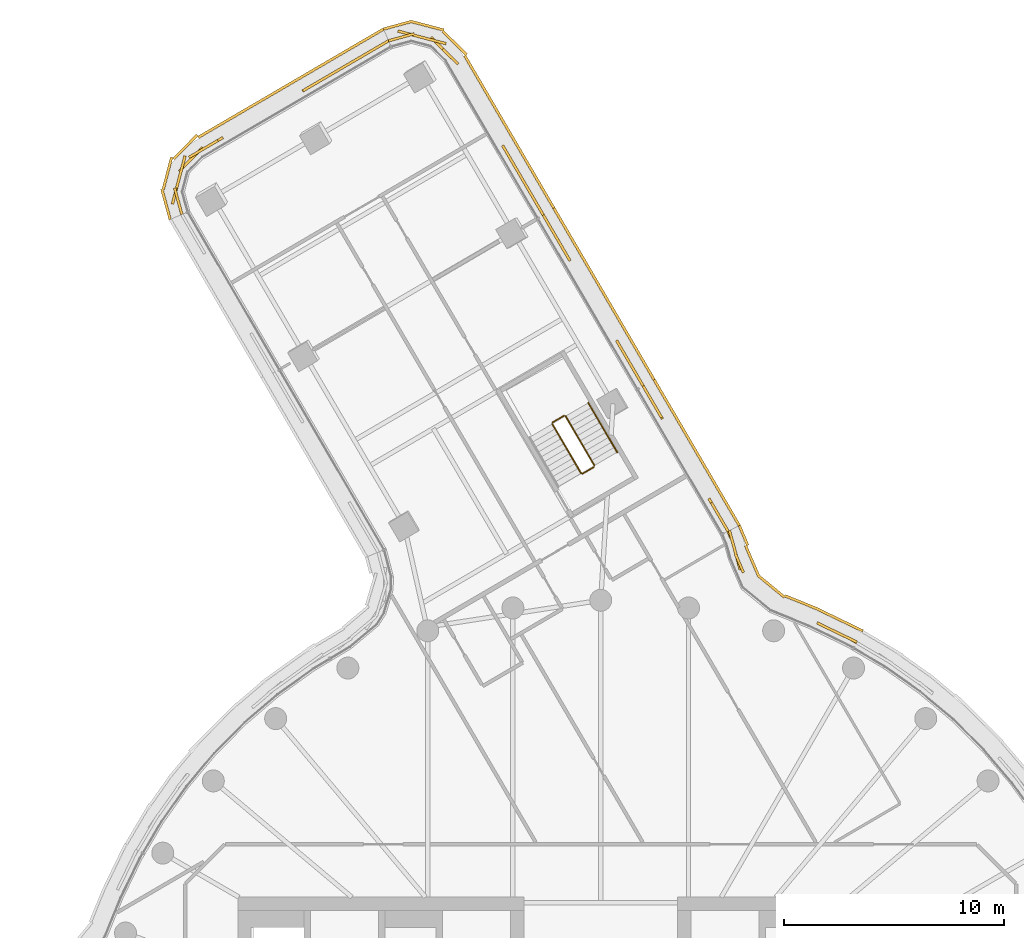
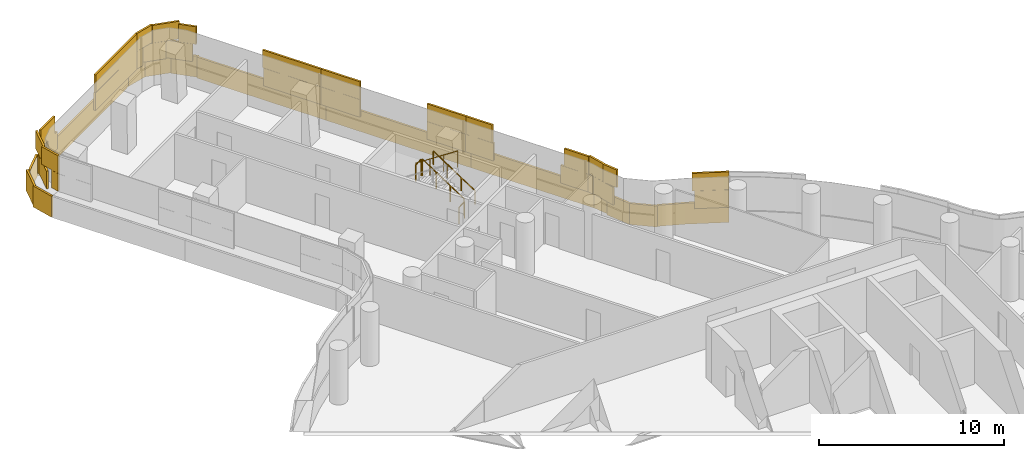
# One storey, part 34 of 35: 5 coverings, 5 railings.
"""IFC4 building model written with IfcOpenShell, lengths in metres."""

from ifc_helpers import new_model, si_unit, direction, frame, origin, origin_2d, place, context, subcontext, project, spatial, rectangle, circle, extrude, material, layer, layer_set, type_object, element, save


model = new_model("IFC4")

# Units and contexts
model_context = context("Model", 3, precision=1e-05, world=origin(), true_north=direction((0.0, 1.0)))
body_context = subcontext(model_context, "Body", "Model", "MODEL_VIEW")
ifc_project = project(units=[si_unit("LENGTHUNIT", "METRE"), si_unit("AREAUNIT", "SQUARE_METRE"), si_unit("VOLUMEUNIT", "CUBIC_METRE"), si_unit("PLANEANGLEUNIT", "RADIAN"), si_unit("MASSUNIT", "GRAM", prefix="KILO")], contexts=[model_context])

# Site, building, storey
site_placement = place(None, origin())
site = spatial("IfcSite", under=ifc_project, at=site_placement, CompositionType="ELEMENT")
building_placement = place(site_placement, origin())
building = spatial("IfcBuilding", under=site, at=building_placement, Name="Tamarind Cross Interchange Tower", CompositionType="ELEMENT")
storey_placement = place(building_placement, frame((0.0, 0.0, 144.25)))
storey = spatial("IfcBuildingStorey", under=building, at=storey_placement, Name="L35", CompositionType="ELEMENT", Elevation=144.25)

# Railings
ifc_material_1 = material(Name="Stair guard")
railing_type_1 = type_object("IfcRailingType", Name="Stair guard", PredefinedType="GUARDRAIL", material=ifc_material_1)
railing_1_placement = place(storey_placement, frame((-0.2861328125, 29.129638671875, 0.17041015625)))
element("IfcRailing", 1, at=railing_1_placement, inside=storey, type_object=railing_type_1, Name="L35 ST4 stair guard 1", PredefinedType="GUARDRAIL", context=body_context, shape_type="SweptSolid", body=[
    extrude(circle(Radius=0.02392578125, at=origin_2d()), frame((0.0, 0.0, 1.076171875), z_axis=(-0.421927310507, 0.722058741879, 0.548277774421), x_axis=(-0.863400629479, -0.504518932267, 0.0)), (0.0, 0.0, 1.0), 3.10888671875),
    extrude(circle(Radius=0.02099609375, at=origin_2d()), origin(), (0.0, 0.0, 1.0), 1.052001953125),
    extrude(circle(Radius=0.02099609375, at=origin_2d()), frame((-0.437255859375, 0.748291015625, 0.568115234375)), (0.0, 0.0, 1.0), 1.052001953125),
    extrude(circle(Radius=0.02099609375, at=origin_2d()), frame((-0.87451171875, 1.49658203125, 1.136474609375)), (0.0, 0.0, 1.0), 1.052001953125),
    extrude(circle(Radius=0.02099609375, at=origin_2d()), frame((-1.311767578125, 2.244873046875, 1.70458984375)), (0.0, 0.0, 1.0), 1.052001953125),
])
railing_2_placement = place(storey_placement, frame((-1.666259765625, 31.392333984375, 1.875)))
element("IfcRailing", 2, at=railing_2_placement, inside=storey, type_object=railing_type_1, Name="L35 ST4 stair guard 2", PredefinedType="GUARDRAIL", context=body_context, shape_type="SweptSolid", body=[
    extrude(circle(Radius=0.02392578125, at=origin_2d()), frame((0.0, 0.0, 1.076171875), z_axis=(-0.863394962472, -0.504528630285, 0.0), x_axis=(0.504528630285, -0.863394962472, 0.0)), (0.0, 0.0, 1.0), 0.60009765625),
    extrude(circle(Radius=0.02099609375, at=origin_2d()), origin(), (0.0, 0.0, 1.0), 1.052001953125),
    extrude(circle(Radius=0.02099609375, at=origin_2d()), frame((-0.51806640625, -0.302734375, 0.0)), (0.0, 0.0, 1.0), 1.052001953125),
])
railing_3_placement = place(storey_placement, frame((-2.2021484375, 31.021240234375, 2.04541015625)))
element("IfcRailing", 3, at=railing_3_placement, inside=storey, type_object=railing_type_1, Name="L35 ST4 stair guard 3", PredefinedType="GUARDRAIL", context=body_context, shape_type="SweptSolid", body=[
    extrude(circle(Radius=0.02392578125, at=origin_2d()), frame((0.0, 0.0, 1.076171875), z_axis=(0.421927310507, -0.722058741879, 0.548277774421), x_axis=(0.863400629479, 0.504518932267, 0.0)), (0.0, 0.0, 1.0), 3.10888671875),
    extrude(circle(Radius=0.02099609375, at=origin_2d()), origin(), (0.0, 0.0, 1.0), 1.052001953125),
    extrude(circle(Radius=0.02099609375, at=origin_2d()), frame((0.437255859375, -0.748291015625, 0.568115234375)), (0.0, 0.0, 1.0), 1.052001953125),
    extrude(circle(Radius=0.02099609375, at=origin_2d()), frame((0.87451171875, -1.49658203125, 1.136474609375)), (0.0, 0.0, 1.0), 1.052001953125),
    extrude(circle(Radius=0.02099609375, at=origin_2d()), frame((1.311767578125, -2.244873046875, 1.70458984375)), (0.0, 0.0, 1.0), 1.052001953125),
])
railing_4_placement = place(storey_placement, frame((-0.303955078125, 29.061279296875, 0.0)))
element("IfcRailing", 4, at=railing_4_placement, inside=storey, type_object=railing_type_1, Name="L35 ST4 stair guard 4", PredefinedType="GUARDRAIL", context=body_context, shape_type="SweptSolid", body=[
    extrude(circle(Radius=0.02392578125, at=origin_2d()), frame((0.0, 0.0, 1.076171875), z_axis=(-0.863394962472, -0.504528630285, 0.0), x_axis=(0.504528630285, -0.863394962472, 0.0)), (0.0, 0.0, 1.0), 0.60009765625),
    extrude(circle(Radius=0.02099609375, at=origin_2d()), origin(), (0.0, 0.0, 1.0), 1.052001953125),
    extrude(circle(Radius=0.02099609375, at=origin_2d()), frame((-0.51806640625, -0.302734375, 0.0)), (0.0, 0.0, 1.0), 1.052001953125),
])
ifc_material_2 = material(Name="Stair handrail")
railing_type_2 = type_object("IfcRailingType", Name="Stair handrail", PredefinedType="HANDRAIL", material=ifc_material_2)
railing_5_placement = place(storey_placement, frame((0.75, 29.73486328125, 0.17041015625)))
element("IfcRailing", 5, at=railing_5_placement, inside=storey, type_object=railing_type_2, Name="L35 ST4 stair handrail 1", PredefinedType="HANDRAIL", context=body_context, shape_type="SweptSolid", body=[
    extrude(circle(Radius=0.02392578125, at=origin_2d()), frame((0.0, 0.0, 0.8759765625), z_axis=(-0.421927310507, 0.722058741879, 0.548277774421), x_axis=(-0.863400629479, -0.504518932267, 0.0)), (0.0, 0.0, 1.0), 3.10888671875),
    extrude(circle(Radius=0.02099609375, at=origin_2d()), origin(), (0.0, 0.0, 1.0), 0.851806640625),
    extrude(circle(Radius=0.02099609375, at=origin_2d()), frame((-0.437255859375, 0.748291015625, 0.568115234375)), (0.0, 0.0, 1.0), 0.851806640625),
    extrude(circle(Radius=0.02099609375, at=origin_2d()), frame((-0.87451171875, 1.49658203125, 1.136474609375)), (0.0, 0.0, 1.0), 0.851806640625),
    extrude(circle(Radius=0.02099609375, at=origin_2d()), frame((-1.311767578125, 2.244873046875, 1.70458984375)), (0.0, 0.0, 1.0), 0.851806640625),
])

# Coverings
ifc_material_3 = material(Name="Terracotta", Category="masonry")
ifc_layer = layer(ifc_material_3, 0.1201171875)
ifc_layer_set = layer_set([ifc_layer], Name="Terracotta")
covering_type = type_object("IfcCoveringType", Name="Terracotta baguette screen unit", PredefinedType="MOLDING", material=ifc_layer_set)
covering_1_placement = place(storey_placement, origin())
element("IfcCovering", 6, at=covering_1_placement, inside=storey, type_object=covering_type, Name="SCR-L35-10-01", PredefinedType="MOLDING", context=body_context, shape_type="SweptSolid", body=[
    extrude(rectangle(XDim=0.376708984375, YDim=0.1201171875, at=origin_2d()), frame((11.475830078125, 21.171142578125, 1.404052734375), z_axis=(0.0, 0.0, 1.0), x_axis=(-0.861248933065, 0.508183308752, 0.0)), (0.0, 0.0, 1.0), 1.1669921875),
    extrude(rectangle(XDim=1.52001953125, YDim=0.1201171875, at=origin_2d()), frame((10.64013671875, 21.586181640625, 1.404052734375), z_axis=(0.0, 0.0, 1.0), x_axis=(-0.900272776334, 0.435326231914, 0.0)), (0.0, 0.0, 1.0), 1.1669921875),
    extrude(rectangle(XDim=1.52001953125, YDim=0.1201171875, at=origin_2d()), frame((6.14599609375, 25.112060546875, 1.404052734375), z_axis=(0.0, 0.0, 1.0), x_axis=(-0.263859582177, 0.964561102727, 0.0)), (0.0, 0.0, 1.0), 1.1669921875),
    extrude(rectangle(XDim=0.349609375, YDim=0.1201171875, at=origin_2d()), frame((5.858154296875, 25.983642578125, 1.404052734375), z_axis=(0.0, 0.0, 1.0), x_axis=(-0.387502714777, 0.921868562237, 0.0)), (0.0, 0.0, 1.0), 1.1669921875),
    extrude(rectangle(XDim=1.126708984375, YDim=0.1201171875, at=origin_2d()), frame((11.142822265625, 21.34326171875, 2.5791015625), z_axis=(0.0, 0.0, 1.0), x_axis=(-0.900272776334, 0.435326231914, 0.0)), (0.0, 0.0, 1.0), 1.1669921875),
    extrude(rectangle(XDim=0.896484375, YDim=0.1201171875, at=origin_2d()), frame((10.2412109375, 21.779296875, 2.5791015625), z_axis=(0.0, 0.0, 1.0), x_axis=(-0.900272776334, 0.435326231914, 0.0)), (0.0, 0.0, 1.0), 1.1669921875),
    extrude(rectangle(XDim=0.92333984375, YDim=0.1201171875, at=origin_2d()), frame((6.30859375, 24.686279296875, 2.5791015625), z_axis=(0.0, 0.0, 1.0), x_axis=(-0.395961744904, 0.918267007233, 0.0)), (0.0, 0.0, 1.0), 1.1669921875),
    extrude(rectangle(XDim=1.099609375, YDim=0.1201171875, at=origin_2d()), frame((6.002197265625, 25.637451171875, 2.5791015625), z_axis=(0.0, 0.0, 1.0), x_axis=(-0.263859582177, 0.964561102727, 0.0)), (0.0, 0.0, 1.0), 1.1669921875),
    extrude(rectangle(XDim=0.895263671875, YDim=0.1201171875, at=origin_2d()), frame((11.520263671875, 21.79833984375, 0.00390625), z_axis=(0.0, 0.0, 1.0), x_axis=(-0.900272776334, 0.435326231914, 0.0)), (0.0, 0.0, 1.0), 1.39208984375),
    extrude(rectangle(XDim=1.52001953125, YDim=0.1201171875, at=origin_2d()), frame((10.451171875, 22.315185546875, 0.00390625), z_axis=(0.0, 0.0, 1.0), x_axis=(-0.900272776334, 0.435326231914, 0.0)), (0.0, 0.0, 1.0), 1.39208984375),
    extrude(rectangle(XDim=1.52001953125, YDim=0.1201171875, at=origin_2d()), frame((9.08056640625, 22.9228515625, 0.00390625), z_axis=(0.0, 0.0, 1.0), x_axis=(-0.925762633529, 0.378105205414, 0.0)), (0.0, 0.0, 1.0), 1.39208984375),
    extrude(rectangle(XDim=1.52001953125, YDim=0.1201171875, at=origin_2d()), frame((7.771240234375, 23.623046875, 0.00390625), z_axis=(0.0, 0.0, 1.0), x_axis=(-0.772208622298, 0.635369060979, 0.0)), (0.0, 0.0, 1.0), 1.39208984375),
    extrude(rectangle(XDim=1.52001953125, YDim=0.1201171875, at=origin_2d()), frame((6.89111328125, 24.78515625, 0.00390625), z_axis=(0.0, 0.0, 1.0), x_axis=(-0.395961744904, 0.918267007233, 0.0)), (0.0, 0.0, 1.0), 1.39208984375),
    extrude(rectangle(XDim=0.978515625, YDim=0.1201171875, at=origin_2d()), frame((6.49658203125, 25.9462890625, 0.00390625), z_axis=(0.0, 0.0, 1.0), x_axis=(-0.387502714777, 0.921868562237, 0.0)), (0.0, 0.0, 1.0), 1.39208984375),
])
covering_2_placement = place(storey_placement, origin())
element("IfcCovering", 7, at=covering_2_placement, inside=storey, type_object=covering_type, Name="SCR-L35-11-00", PredefinedType="MOLDING", context=body_context, shape_type="SweptSolid", body=[
    extrude(rectangle(XDim=0.760009765625, YDim=0.1201171875, at=origin_2d()), frame((5.603271484375, 26.464111328125, 1.404052734375), z_axis=(0.0, 0.0, 1.0), x_axis=(-0.50451556849, 0.863402595057, 0.0)), (0.0, 0.0, 1.0), 1.1669921875),
    extrude(rectangle(XDim=0.983642578125, YDim=0.1201171875, at=origin_2d()), frame((5.16845703125, 27.208251953125, 1.404052734375), z_axis=(0.0, 0.0, 1.0), x_axis=(-0.50451556849, 0.863402595057, 0.0)), (0.0, 0.0, 1.0), 1.1669921875),
    extrude(rectangle(XDim=0.83642578125, YDim=0.1201171875, at=origin_2d()), frame((2.595458984375, 31.611572265625, 1.404052734375), z_axis=(0.0, 0.0, 1.0), x_axis=(-0.50451556849, 0.863402595057, 0.0)), (0.0, 0.0, 1.0), 1.1669921875),
    extrude(rectangle(XDim=0.9072265625, YDim=0.1201171875, at=origin_2d()), frame((2.16064453125, 32.35546875, 1.404052734375), z_axis=(0.0, 0.0, 1.0), x_axis=(-0.50451556849, 0.863402595057, 0.0)), (0.0, 0.0, 1.0), 1.1669921875),
    extrude(rectangle(XDim=1.510009765625, YDim=0.1201171875, at=origin_2d()), frame((5.4140625, 26.787841796875, 2.5791015625), z_axis=(0.0, 0.0, 1.0), x_axis=(-0.50451556849, 0.863402595057, 0.0)), (0.0, 0.0, 1.0), 1.1669921875),
    extrude(rectangle(XDim=1.52001953125, YDim=0.1201171875, at=origin_2d()), frame((2.386962890625, 31.96826171875, 2.5791015625), z_axis=(0.0, 0.0, 1.0), x_axis=(-0.50451556849, 0.863402595057, 0.0)), (0.0, 0.0, 1.0), 1.1669921875),
    extrude(rectangle(XDim=0.1572265625, YDim=0.1201171875, at=origin_2d()), frame((1.971435546875, 32.679443359375, 2.5791015625), z_axis=(0.0, 0.0, 1.0), x_axis=(-0.50451556849, 0.863402595057, 0.0)), (0.0, 0.0, 1.0), 1.1669921875),
    extrude(rectangle(XDim=0.760009765625, YDim=0.1201171875, at=origin_2d()), frame((6.115234375, 26.7255859375, 0.00390625), z_axis=(0.0, 0.0, 1.0), x_axis=(-0.50451556849, 0.863402595057, 0.0)), (0.0, 0.0, 1.0), 1.39208984375),
    extrude(rectangle(XDim=1.52001953125, YDim=0.1201171875, at=origin_2d()), frame((5.55029296875, 27.6923828125, 0.00390625), z_axis=(0.0, 0.0, 1.0), x_axis=(-0.50451556849, 0.863402595057, 0.0)), (0.0, 0.0, 1.0), 1.39208984375),
    extrude(rectangle(XDim=1.52001953125, YDim=0.1201171875, at=origin_2d()), frame((4.79345703125, 28.987548828125, 0.00390625), z_axis=(0.0, 0.0, 1.0), x_axis=(-0.50451556849, 0.863402595057, 0.0)), (0.0, 0.0, 1.0), 1.39208984375),
    extrude(rectangle(XDim=1.52001953125, YDim=0.1201171875, at=origin_2d()), frame((4.03662109375, 30.28271484375, 0.00390625), z_axis=(0.0, 0.0, 1.0), x_axis=(-0.50451556849, 0.863402595057, 0.0)), (0.0, 0.0, 1.0), 1.39208984375),
    extrude(rectangle(XDim=1.52001953125, YDim=0.1201171875, at=origin_2d()), frame((3.27978515625, 31.577880859375, 0.00390625), z_axis=(0.0, 0.0, 1.0), x_axis=(-0.50451556849, 0.863402595057, 0.0)), (0.0, 0.0, 1.0), 1.39208984375),
    extrude(rectangle(XDim=0.94189453125, YDim=0.1201171875, at=origin_2d()), frame((2.6689453125, 32.623291015625, 0.00390625), z_axis=(0.0, 0.0, 1.0), x_axis=(-0.50451556849, 0.863402595057, 0.0)), (0.0, 0.0, 1.0), 1.39208984375),
])
covering_3_placement = place(storey_placement, origin())
element("IfcCovering", 8, at=covering_3_placement, inside=storey, type_object=covering_type, Name="SCR-L35-11-01", PredefinedType="MOLDING", context=body_context, shape_type="SweptSolid", body=[
    extrude(rectangle(XDim=0.61279296875, YDim=0.1201171875, at=origin_2d()), frame((1.7822265625, 33.003173828125, 1.404052734375), z_axis=(0.0, 0.0, 1.0), x_axis=(-0.50451556849, 0.863402595057, 0.0)), (0.0, 0.0, 1.0), 1.1669921875),
    extrude(rectangle(XDim=1.52001953125, YDim=0.1201171875, at=origin_2d()), frame((1.251708984375, 33.910888671875, 1.404052734375), z_axis=(0.0, 0.0, 1.0), x_axis=(-0.50451556849, 0.863402595057, 0.0)), (0.0, 0.0, 1.0), 1.1669921875),
    extrude(rectangle(XDim=0.310546875, YDim=0.1201171875, at=origin_2d()), frame((0.797607421875, 34.688232421875, 1.404052734375), z_axis=(0.0, 0.0, 1.0), x_axis=(-0.50451556849, 0.863402595057, 0.0)), (0.0, 0.0, 1.0), 1.1669921875),
    extrude(rectangle(XDim=1.509521484375, YDim=0.1201171875, at=origin_2d()), frame((-1.775390625, 39.091552734375, 1.404052734375), z_axis=(0.0, 0.0, 1.0), x_axis=(-0.50451556849, 0.863402595057, 0.0)), (0.0, 0.0, 1.0), 1.1669921875),
    extrude(rectangle(XDim=0.91357421875, YDim=0.1201171875, at=origin_2d()), frame((-2.381591796875, 40.12890625, 1.404052734375), z_axis=(0.0, 0.0, 1.0), x_axis=(-0.50451556849, 0.863402595057, 0.0)), (0.0, 0.0, 1.0), 1.1669921875),
    extrude(rectangle(XDim=1.36279296875, YDim=0.1201171875, at=origin_2d()), frame((1.593017578125, 33.326904296875, 2.5791015625), z_axis=(0.0, 0.0, 1.0), x_axis=(-0.50451556849, 0.863402595057, 0.0)), (0.0, 0.0, 1.0), 1.1669921875),
    extrude(rectangle(XDim=1.060546875, YDim=0.1201171875, at=origin_2d()), frame((0.98681640625, 34.3642578125, 2.5791015625), z_axis=(0.0, 0.0, 1.0), x_axis=(-0.50451556849, 0.863402595057, 0.0)), (0.0, 0.0, 1.0), 1.1669921875),
    extrude(rectangle(XDim=0.759521484375, YDim=0.1201171875, at=origin_2d()), frame((-1.586181640625, 38.767822265625, 2.5791015625), z_axis=(0.0, 0.0, 1.0), x_axis=(-0.50451556849, 0.863402595057, 0.0)), (0.0, 0.0, 1.0), 1.1669921875),
    extrude(rectangle(XDim=1.52001953125, YDim=0.1201171875, at=origin_2d()), frame((-2.15380859375, 39.73876953125, 2.5791015625), z_axis=(0.0, 0.0, 1.0), x_axis=(-0.50451556849, 0.863402595057, 0.0)), (0.0, 0.0, 1.0), 1.1669921875),
    extrude(rectangle(XDim=0.16357421875, YDim=0.1201171875, at=origin_2d()), frame((-2.57080078125, 40.45263671875, 2.5791015625), z_axis=(0.0, 0.0, 1.0), x_axis=(-0.50451556849, 0.863402595057, 0.0)), (0.0, 0.0, 1.0), 1.1669921875),
    extrude(rectangle(XDim=0.578125, YDim=0.1201171875, at=origin_2d()), frame((2.285400390625, 33.279541015625, 0.00390625), z_axis=(0.0, 0.0, 1.0), x_axis=(-0.50451556849, 0.863402595057, 0.0)), (0.0, 0.0, 1.0), 1.39208984375),
    extrude(rectangle(XDim=1.52001953125, YDim=0.1201171875, at=origin_2d()), frame((1.766357421875, 34.16796875, 0.00390625), z_axis=(0.0, 0.0, 1.0), x_axis=(-0.50451556849, 0.863402595057, 0.0)), (0.0, 0.0, 1.0), 1.39208984375),
    extrude(rectangle(XDim=1.52001953125, YDim=0.1201171875, at=origin_2d()), frame((1.009521484375, 35.463134765625, 0.00390625), z_axis=(0.0, 0.0, 1.0), x_axis=(-0.50451556849, 0.863402595057, 0.0)), (0.0, 0.0, 1.0), 1.39208984375),
    extrude(rectangle(XDim=1.52001953125, YDim=0.1201171875, at=origin_2d()), frame((0.252685546875, 36.75830078125, 0.00390625), z_axis=(0.0, 0.0, 1.0), x_axis=(-0.50451556849, 0.863402595057, 0.0)), (0.0, 0.0, 1.0), 1.39208984375),
    extrude(rectangle(XDim=1.52001953125, YDim=0.1201171875, at=origin_2d()), frame((-0.50390625, 38.05322265625, 0.00390625), z_axis=(0.0, 0.0, 1.0), x_axis=(-0.50451556849, 0.863402595057, 0.0)), (0.0, 0.0, 1.0), 1.39208984375),
    extrude(rectangle(XDim=1.52001953125, YDim=0.1201171875, at=origin_2d()), frame((-1.2607421875, 39.348388671875, 0.00390625), z_axis=(0.0, 0.0, 1.0), x_axis=(-0.50451556849, 0.863402595057, 0.0)), (0.0, 0.0, 1.0), 1.39208984375),
    extrude(rectangle(XDim=0.989013671875, YDim=0.1201171875, at=origin_2d()), frame((-1.883544921875, 40.414306640625, 0.00390625), z_axis=(0.0, 0.0, 1.0), x_axis=(-0.50451556849, 0.863402595057, 0.0)), (0.0, 0.0, 1.0), 1.39208984375),
])
covering_4_placement = place(storey_placement, origin())
element("IfcCovering", 9, at=covering_4_placement, inside=storey, type_object=covering_type, Name="SCR-L35-11-02", PredefinedType="MOLDING", context=body_context, shape_type="SweptSolid", body=[
    extrude(rectangle(XDim=0.6064453125, YDim=0.1201171875, at=origin_2d()), frame((-2.760009765625, 40.776611328125, 1.404052734375), z_axis=(0.0, 0.0, 1.0), x_axis=(-0.50451556849, 0.863402595057, 0.0)), (0.0, 0.0, 1.0), 1.1669921875),
    extrude(rectangle(XDim=1.52001953125, YDim=0.1201171875, at=origin_2d()), frame((-3.288818359375, 41.681396484375, 1.404052734375), z_axis=(0.0, 0.0, 1.0), x_axis=(-0.50451556849, 0.863402595057, 0.0)), (0.0, 0.0, 1.0), 1.1669921875),
    extrude(rectangle(XDim=1.52001953125, YDim=0.1201171875, at=origin_2d()), frame((-4.045654296875, 42.9765625, 1.404052734375), z_axis=(0.0, 0.0, 1.0), x_axis=(-0.50451556849, 0.863402595057, 0.0)), (0.0, 0.0, 1.0), 1.1669921875),
    extrude(rectangle(XDim=1.52001953125, YDim=0.1201171875, at=origin_2d()), frame((-7.181396484375, 48.07275390625, 1.404052734375), z_axis=(0.0, 0.0, 1.0), x_axis=(-0.710789652561, 0.703404627375, 0.0)), (0.0, 0.0, 1.0), 1.1669921875),
    extrude(rectangle(XDim=1.52001953125, YDim=0.1201171875, at=origin_2d()), frame((-8.492431640625, 48.698486328125, 1.404052734375), z_axis=(0.0, 0.0, 1.0), x_axis=(-0.967264209552, 0.253771450166, 0.0)), (0.0, 0.0, 1.0), 1.1669921875),
    extrude(rectangle(XDim=0.459716796875, YDim=0.1201171875, at=origin_2d()), frame((-9.43310546875, 48.5078125, 1.404052734375), z_axis=(0.0, 0.0, 1.0), x_axis=(-0.964561102727, -0.263859582177, 0.0)), (0.0, 0.0, 1.0), 1.1669921875),
    extrude(rectangle(XDim=1.3564453125, YDim=0.1201171875, at=origin_2d()), frame((-2.94921875, 41.100341796875, 2.5791015625), z_axis=(0.0, 0.0, 1.0), x_axis=(-0.50451556849, 0.863402595057, 0.0)), (0.0, 0.0, 1.0), 1.1669921875),
    extrude(rectangle(XDim=1.52001953125, YDim=0.1201171875, at=origin_2d()), frame((-3.667236328125, 42.3291015625, 2.5791015625), z_axis=(0.0, 0.0, 1.0), x_axis=(-0.50451556849, 0.863402595057, 0.0)), (0.0, 0.0, 1.0), 1.1669921875),
    extrude(rectangle(XDim=0.836669921875, YDim=0.1201171875, at=origin_2d()), frame((-4.254150390625, 43.33349609375, 2.5791015625), z_axis=(0.0, 0.0, 1.0), x_axis=(-0.50451556849, 0.863402595057, 0.0)), (0.0, 0.0, 1.0), 1.1669921875),
    extrude(rectangle(XDim=0.9833984375, YDim=0.1201171875, at=origin_2d()), frame((-6.83544921875, 47.73046875, 2.5791015625), z_axis=(0.0, 0.0, 1.0), x_axis=(-0.710789652561, 0.703404627375, 0.0)), (0.0, 0.0, 1.0), 1.1669921875),
    extrude(rectangle(XDim=1.52001953125, YDim=0.1201171875, at=origin_2d()), frame((-7.766845703125, 48.50830078125, 2.5791015625), z_axis=(0.0, 0.0, 1.0), x_axis=(-0.967264209552, 0.253771450166, 0.0)), (0.0, 0.0, 1.0), 1.1669921875),
    extrude(rectangle(XDim=1.209716796875, YDim=0.1201171875, at=origin_2d()), frame((-9.0712890625, 48.606689453125, 2.5791015625), z_axis=(0.0, 0.0, 1.0), x_axis=(-0.964561102727, -0.263859582177, 0.0)), (0.0, 0.0, 1.0), 1.1669921875),
    extrude(rectangle(XDim=0.531005859375, YDim=0.1201171875, at=origin_2d()), frame((-2.26708984375, 41.070556640625, 0.00390625), z_axis=(0.0, 0.0, 1.0), x_axis=(-0.50451556849, 0.863402595057, 0.0)), (0.0, 0.0, 1.0), 1.39208984375),
    extrude(rectangle(XDim=1.52001953125, YDim=0.1201171875, at=origin_2d()), frame((-2.7744140625, 41.938720703125, 0.00390625), z_axis=(0.0, 0.0, 1.0), x_axis=(-0.50451556849, 0.863402595057, 0.0)), (0.0, 0.0, 1.0), 1.39208984375),
    extrude(rectangle(XDim=1.52001953125, YDim=0.1201171875, at=origin_2d()), frame((-3.531005859375, 43.233642578125, 0.00390625), z_axis=(0.0, 0.0, 1.0), x_axis=(-0.50451556849, 0.863402595057, 0.0)), (0.0, 0.0, 1.0), 1.39208984375),
    extrude(rectangle(XDim=1.52001953125, YDim=0.1201171875, at=origin_2d()), frame((-4.287841796875, 44.52880859375, 0.00390625), z_axis=(0.0, 0.0, 1.0), x_axis=(-0.50451556849, 0.863402595057, 0.0)), (0.0, 0.0, 1.0), 1.39208984375),
    extrude(rectangle(XDim=1.52001953125, YDim=0.1201171875, at=origin_2d()), frame((-5.044677734375, 45.823974609375, 0.00390625), z_axis=(0.0, 0.0, 1.0), x_axis=(-0.50451556849, 0.863402595057, 0.0)), (0.0, 0.0, 1.0), 1.39208984375),
    extrude(rectangle(XDim=1.52001953125, YDim=0.1201171875, at=origin_2d()), frame((-5.801513671875, 47.119140625, 0.00390625), z_axis=(0.0, 0.0, 1.0), x_axis=(-0.50451556849, 0.863402595057, 0.0)), (0.0, 0.0, 1.0), 1.39208984375),
    extrude(rectangle(XDim=1.52001953125, YDim=0.1201171875, at=origin_2d()), frame((-6.643310546875, 48.34814453125, 0.00390625), z_axis=(0.0, 0.0, 1.0), x_axis=(-0.710789652561, 0.703404627375, 0.0)), (0.0, 0.0, 1.0), 1.39208984375),
    extrude(rectangle(XDim=1.52001953125, YDim=0.1201171875, at=origin_2d()), frame((-7.86669921875, 49.1279296875, 0.00390625), z_axis=(0.0, 0.0, 1.0), x_axis=(-0.967264209552, 0.253771450166, 0.0)), (0.0, 0.0, 1.0), 1.39208984375),
    extrude(rectangle(XDim=1.33935546875, YDim=0.1201171875, at=origin_2d()), frame((-9.228515625, 49.158935546875, 0.00390625), z_axis=(0.0, 0.0, 1.0), x_axis=(-0.964561102727, -0.263859582177, 0.0)), (0.0, 0.0, 1.0), 1.39208984375),
])
covering_5_placement = place(storey_placement, origin())
element("IfcCovering", 10, at=covering_5_placement, inside=storey, type_object=covering_type, Name="SCR-L35-12-00", PredefinedType="MOLDING", context=body_context, shape_type="SweptSolid", body=[
    extrude(rectangle(XDim=0.760009765625, YDim=0.1201171875, at=origin_2d()), frame((-9.973876953125, 48.25927734375, 1.404052734375), z_axis=(0.0, 0.0, 1.0), x_axis=(-0.863402595057, -0.50451556849, 0.0)), (0.0, 0.0, 1.0), 1.1669921875),
    extrude(rectangle(XDim=1.52001953125, YDim=0.1201171875, at=origin_2d()), frame((-10.945068359375, 47.691650390625, 1.404052734375), z_axis=(0.0, 0.0, 1.0), x_axis=(-0.863402595057, -0.50451556849, 0.0)), (0.0, 0.0, 1.0), 1.1669921875),
    extrude(rectangle(XDim=1.52001953125, YDim=0.1201171875, at=origin_2d()), frame((-12.240234375, 46.93505859375, 1.404052734375), z_axis=(0.0, 0.0, 1.0), x_axis=(-0.863402595057, -0.50451556849, 0.0)), (0.0, 0.0, 1.0), 1.1669921875),
    extrude(rectangle(XDim=0.784912109375, YDim=0.1201171875, at=origin_2d()), frame((-13.22216796875, 46.361083984375, 1.404052734375), z_axis=(0.0, 0.0, 1.0), x_axis=(-0.863402595057, -0.50451556849, 0.0)), (0.0, 0.0, 1.0), 1.1669921875),
    extrude(rectangle(XDim=1.03515625, YDim=0.1201171875, at=origin_2d()), frame((-17.62548828125, 43.7880859375, 1.404052734375), z_axis=(0.0, 0.0, 1.0), x_axis=(-0.863402595057, -0.50451556849, 0.0)), (0.0, 0.0, 1.0), 1.1669921875),
    extrude(rectangle(XDim=1.52001953125, YDim=0.1201171875, at=origin_2d()), frame((-18.6396484375, 43.052978515625, 1.404052734375), z_axis=(0.0, 0.0, 1.0), x_axis=(-0.703404627375, -0.710789652561, 0.0)), (0.0, 0.0, 1.0), 1.1669921875),
    extrude(rectangle(XDim=1.52001953125, YDim=0.1201171875, at=origin_2d()), frame((-19.28759765625, 41.754638671875, 1.404052734375), z_axis=(0.0, 0.0, 1.0), x_axis=(-0.253771450166, -0.967264209552, 0.0)), (0.0, 0.0, 1.0), 1.1669921875),
    extrude(rectangle(XDim=0.509521484375, YDim=0.1201171875, at=origin_2d()), frame((-19.1162109375, 40.789794921875, 1.404052734375), z_axis=(0.0, 0.0, 1.0), x_axis=(0.263859582177, -0.964561102727, 0.0)), (0.0, 0.0, 1.0), 1.1669921875),
    extrude(rectangle(XDim=1.510009765625, YDim=0.1201171875, at=origin_2d()), frame((-10.297607421875, 48.070068359375, 2.5791015625), z_axis=(0.0, 0.0, 1.0), x_axis=(-0.863402595057, -0.50451556849, 0.0)), (0.0, 0.0, 1.0), 1.1669921875),
    extrude(rectangle(XDim=1.52001953125, YDim=0.1201171875, at=origin_2d()), frame((-11.5927734375, 47.3134765625, 2.5791015625), z_axis=(0.0, 0.0, 1.0), x_axis=(-0.863402595057, -0.50451556849, 0.0)), (0.0, 0.0, 1.0), 1.1669921875),
    extrude(rectangle(XDim=1.52001953125, YDim=0.1201171875, at=origin_2d()), frame((-12.8876953125, 46.556640625, 2.5791015625), z_axis=(0.0, 0.0, 1.0), x_axis=(-0.863402595057, -0.50451556849, 0.0)), (0.0, 0.0, 1.0), 1.1669921875),
    extrude(rectangle(XDim=1.52001953125, YDim=0.1201171875, at=origin_2d()), frame((-18.068115234375, 43.529541015625, 2.5791015625), z_axis=(0.0, 0.0, 1.0), x_axis=(-0.863402595057, -0.50451556849, 0.0)), (0.0, 0.0, 1.0), 1.1669921875),
    extrude(rectangle(XDim=1.52001953125, YDim=0.1201171875, at=origin_2d()), frame((-19.097412109375, 42.47998046875, 2.5791015625), z_axis=(0.0, 0.0, 1.0), x_axis=(-0.253771450166, -0.967264209552, 0.0)), (0.0, 0.0, 1.0), 1.1669921875),
    extrude(rectangle(XDim=1.259521484375, YDim=0.1201171875, at=origin_2d()), frame((-19.215087890625, 41.1513671875, 2.5791015625), z_axis=(0.0, 0.0, 1.0), x_axis=(0.263859582177, -0.964561102727, 0.0)), (0.0, 0.0, 1.0), 1.1669921875),
    extrude(rectangle(XDim=0.760009765625, YDim=0.1201171875, at=origin_2d()), frame((-10.202392578125, 48.79052734375, 0.00390625), z_axis=(0.0, 0.0, 1.0), x_axis=(-0.863402595057, -0.50451556849, 0.0)), (0.0, 0.0, 1.0), 1.39208984375),
    extrude(rectangle(XDim=1.52001953125, YDim=0.1201171875, at=origin_2d()), frame((-11.16943359375, 48.2255859375, 0.00390625), z_axis=(0.0, 0.0, 1.0), x_axis=(-0.863402595057, -0.50451556849, 0.0)), (0.0, 0.0, 1.0), 1.39208984375),
    extrude(rectangle(XDim=1.52001953125, YDim=0.1201171875, at=origin_2d()), frame((-12.464599609375, 47.46875, 0.00390625), z_axis=(0.0, 0.0, 1.0), x_axis=(-0.863402595057, -0.50451556849, 0.0)), (0.0, 0.0, 1.0), 1.39208984375),
    extrude(rectangle(XDim=1.52001953125, YDim=0.1201171875, at=origin_2d()), frame((-13.759765625, 46.7119140625, 0.00390625), z_axis=(0.0, 0.0, 1.0), x_axis=(-0.863402595057, -0.50451556849, 0.0)), (0.0, 0.0, 1.0), 1.39208984375),
    extrude(rectangle(XDim=1.52001953125, YDim=0.1201171875, at=origin_2d()), frame((-15.0546875, 45.955078125, 0.00390625), z_axis=(0.0, 0.0, 1.0), x_axis=(-0.863402595057, -0.50451556849, 0.0)), (0.0, 0.0, 1.0), 1.39208984375),
    extrude(rectangle(XDim=1.52001953125, YDim=0.1201171875, at=origin_2d()), frame((-16.349853515625, 45.198486328125, 0.00390625), z_axis=(0.0, 0.0, 1.0), x_axis=(-0.863402595057, -0.50451556849, 0.0)), (0.0, 0.0, 1.0), 1.39208984375),
    extrude(rectangle(XDim=1.52001953125, YDim=0.1201171875, at=origin_2d()), frame((-17.64501953125, 44.441650390625, 0.00390625), z_axis=(0.0, 0.0, 1.0), x_axis=(-0.863402595057, -0.50451556849, 0.0)), (0.0, 0.0, 1.0), 1.39208984375),
    extrude(rectangle(XDim=1.52001953125, YDim=0.1201171875, at=origin_2d()), frame((-18.887939453125, 43.61767578125, 0.00390625), z_axis=(0.0, 0.0, 1.0), x_axis=(-0.703404627375, -0.710789652561, 0.0)), (0.0, 0.0, 1.0), 1.39208984375),
    extrude(rectangle(XDim=1.52001953125, YDim=0.1201171875, at=origin_2d()), frame((-19.707275390625, 42.4169921875, 0.00390625), z_axis=(0.0, 0.0, 1.0), x_axis=(-0.253771450166, -0.967264209552, 0.0)), (0.0, 0.0, 1.0), 1.39208984375),
    extrude(rectangle(XDim=1.426513671875, YDim=0.1201171875, at=origin_2d()), frame((-19.7724609375, 41.012939453125, 0.00390625), z_axis=(0.0, 0.0, 1.0), x_axis=(0.263859582177, -0.964561102727, 0.0)), (0.0, 0.0, 1.0), 1.39208984375),
])

save(model, "model.ifc")
